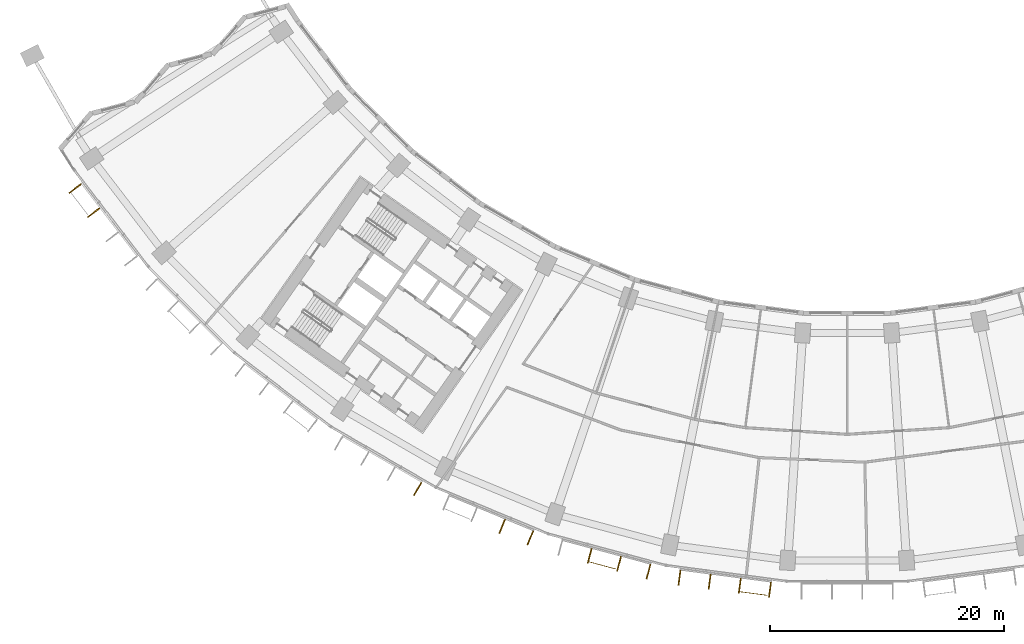
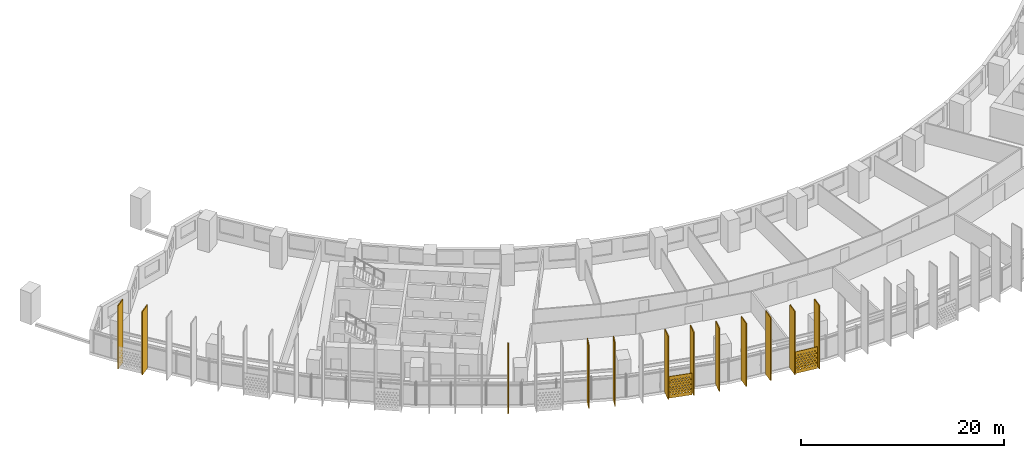
# One storey, part 26 of 31: 14 shading devices.
"""IFC4 building model written with IfcOpenShell, lengths in metres."""

from ifc_helpers import new_model, si_unit, direction, frame, origin, origin_2d, place, context, subcontext, project, spatial, polyline, rectangle, outline, extrude, material, material_profile, profile_set, type_object, element, save


model = new_model("IFC4")

# Units and contexts
model_context = context("Model", 3, precision=1e-05, world=origin(), true_north=direction((0.0, 1.0)))
body_context = subcontext(model_context, "Body", "Model", "MODEL_VIEW")
ifc_project = project(units=[si_unit("LENGTHUNIT", "METRE"), si_unit("AREAUNIT", "SQUARE_METRE"), si_unit("VOLUMEUNIT", "CUBIC_METRE"), si_unit("PLANEANGLEUNIT", "RADIAN"), si_unit("MASSUNIT", "GRAM", prefix="KILO")], contexts=[model_context])

# Site, building, storey
site_placement = place(None, origin())
site = spatial("IfcSite", under=ifc_project, at=site_placement, CompositionType="ELEMENT")
building_placement = place(site_placement, origin())
building = spatial("IfcBuilding", under=site, at=building_placement, Name="Qamariyya Broadcast Tower", CompositionType="ELEMENT")
storey_placement = place(building_placement, frame((0.0, 0.0, 55.699951171875)))
storey = spatial("IfcBuildingStorey", under=building, at=storey_placement, Name="L10", CompositionType="ELEMENT", Elevation=55.699951171875)

# Shading devices
ifc_material_1 = material(Name="Perforated glazed terracotta", Category="masonry")
ifc_material_profile_1 = material_profile(ifc_material_1, outline(polyline([(-1.199951171875, -1.300048828125), (1.199951171875, -1.300048828125), (1.199951171875, 1.300048828125), (-1.199951171875, 1.300048828125), (-1.199951171875, -1.300048828125)]), holes=[polyline([(-0.81494140625, -0.86669921875), (-0.89990234375, -0.78173828125), (-0.985107421875, -0.86669921875), (-0.89990234375, -0.95166015625), (-0.81494140625, -0.86669921875)]), polyline([(-0.514892578125, -0.86669921875), (-0.60009765625, -0.78173828125), (-0.68505859375, -0.86669921875), (-0.60009765625, -0.95166015625), (-0.514892578125, -0.86669921875)]), polyline([(-0.215087890625, -0.86669921875), (-0.300048828125, -0.78173828125), (-0.385009765625, -0.86669921875), (-0.300048828125, -0.95166015625), (-0.215087890625, -0.86669921875)]), polyline([(0.0849609375, -0.86669921875), (0.0, -0.78173828125), (-0.0849609375, -0.86669921875), (0.0, -0.95166015625), (0.0849609375, -0.86669921875)]), polyline([(0.385009765625, -0.86669921875), (0.300048828125, -0.78173828125), (0.215087890625, -0.86669921875), (0.300048828125, -0.95166015625), (0.385009765625, -0.86669921875)]), polyline([(0.68505859375, -0.86669921875), (0.60009765625, -0.78173828125), (0.514892578125, -0.86669921875), (0.60009765625, -0.95166015625), (0.68505859375, -0.86669921875)]), polyline([(0.985107421875, -0.86669921875), (0.89990234375, -0.78173828125), (0.81494140625, -0.86669921875), (0.89990234375, -0.95166015625), (0.985107421875, -0.86669921875)]), polyline([(-0.965087890625, -0.577880859375), (-1.050048828125, -0.49267578125), (-1.135009765625, -0.577880859375), (-1.050048828125, -0.662841796875), (-0.965087890625, -0.577880859375)]), polyline([(-0.6650390625, -0.577880859375), (-0.75, -0.49267578125), (-0.8349609375, -0.577880859375), (-0.75, -0.662841796875), (-0.6650390625, -0.577880859375)]), polyline([(-0.364990234375, -0.577880859375), (-0.449951171875, -0.49267578125), (-0.534912109375, -0.577880859375), (-0.449951171875, -0.662841796875), (-0.364990234375, -0.577880859375)]), polyline([(-0.06494140625, -0.577880859375), (-0.14990234375, -0.49267578125), (-0.235107421875, -0.577880859375), (-0.14990234375, -0.662841796875), (-0.06494140625, -0.577880859375)]), polyline([(0.235107421875, -0.577880859375), (0.14990234375, -0.49267578125), (0.06494140625, -0.577880859375), (0.14990234375, -0.662841796875), (0.235107421875, -0.577880859375)]), polyline([(0.534912109375, -0.577880859375), (0.449951171875, -0.49267578125), (0.364990234375, -0.577880859375), (0.449951171875, -0.662841796875), (0.534912109375, -0.577880859375)]), polyline([(0.8349609375, -0.577880859375), (0.75, -0.49267578125), (0.6650390625, -0.577880859375), (0.75, -0.662841796875), (0.8349609375, -0.577880859375)]), polyline([(1.135009765625, -0.577880859375), (1.050048828125, -0.49267578125), (0.965087890625, -0.577880859375), (1.050048828125, -0.662841796875), (1.135009765625, -0.577880859375)]), polyline([(-0.81494140625, -0.288818359375), (-0.89990234375, -0.203857421875), (-0.985107421875, -0.288818359375), (-0.89990234375, -0.373779296875), (-0.81494140625, -0.288818359375)]), polyline([(-0.514892578125, -0.288818359375), (-0.60009765625, -0.203857421875), (-0.68505859375, -0.288818359375), (-0.60009765625, -0.373779296875), (-0.514892578125, -0.288818359375)]), polyline([(-0.215087890625, -0.288818359375), (-0.300048828125, -0.203857421875), (-0.385009765625, -0.288818359375), (-0.300048828125, -0.373779296875), (-0.215087890625, -0.288818359375)]), polyline([(0.0849609375, -0.288818359375), (0.0, -0.203857421875), (-0.0849609375, -0.288818359375), (0.0, -0.373779296875), (0.0849609375, -0.288818359375)]), polyline([(0.385009765625, -0.288818359375), (0.300048828125, -0.203857421875), (0.215087890625, -0.288818359375), (0.300048828125, -0.373779296875), (0.385009765625, -0.288818359375)]), polyline([(0.68505859375, -0.288818359375), (0.60009765625, -0.203857421875), (0.514892578125, -0.288818359375), (0.60009765625, -0.373779296875), (0.68505859375, -0.288818359375)]), polyline([(0.985107421875, -0.288818359375), (0.89990234375, -0.203857421875), (0.81494140625, -0.288818359375), (0.89990234375, -0.373779296875), (0.985107421875, -0.288818359375)]), polyline([(-0.965087890625, 0.0), (-1.050048828125, 0.0849609375), (-1.135009765625, 0.0), (-1.050048828125, -0.0849609375), (-0.965087890625, 0.0)]), polyline([(-0.6650390625, 0.0), (-0.75, 0.0849609375), (-0.8349609375, 0.0), (-0.75, -0.0849609375), (-0.6650390625, 0.0)]), polyline([(-0.364990234375, 0.0), (-0.449951171875, 0.0849609375), (-0.534912109375, 0.0), (-0.449951171875, -0.0849609375), (-0.364990234375, 0.0)]), polyline([(-0.06494140625, 0.0), (-0.14990234375, 0.0849609375), (-0.235107421875, 0.0), (-0.14990234375, -0.0849609375), (-0.06494140625, 0.0)]), polyline([(0.235107421875, 0.0), (0.14990234375, 0.0849609375), (0.06494140625, 0.0), (0.14990234375, -0.0849609375), (0.235107421875, 0.0)]), polyline([(0.534912109375, 0.0), (0.449951171875, 0.0849609375), (0.364990234375, 0.0), (0.449951171875, -0.0849609375), (0.534912109375, 0.0)]), polyline([(0.8349609375, 0.0), (0.75, 0.0849609375), (0.6650390625, 0.0), (0.75, -0.0849609375), (0.8349609375, 0.0)]), polyline([(1.135009765625, 0.0), (1.050048828125, 0.0849609375), (0.965087890625, 0.0), (1.050048828125, -0.0849609375), (1.135009765625, 0.0)]), polyline([(-0.81494140625, 0.288818359375), (-0.89990234375, 0.373779296875), (-0.985107421875, 0.288818359375), (-0.89990234375, 0.203857421875), (-0.81494140625, 0.288818359375)]), polyline([(-0.514892578125, 0.288818359375), (-0.60009765625, 0.373779296875), (-0.68505859375, 0.288818359375), (-0.60009765625, 0.203857421875), (-0.514892578125, 0.288818359375)]), polyline([(-0.215087890625, 0.288818359375), (-0.300048828125, 0.373779296875), (-0.385009765625, 0.288818359375), (-0.300048828125, 0.203857421875), (-0.215087890625, 0.288818359375)]), polyline([(0.0849609375, 0.288818359375), (0.0, 0.373779296875), (-0.0849609375, 0.288818359375), (0.0, 0.203857421875), (0.0849609375, 0.288818359375)]), polyline([(0.385009765625, 0.288818359375), (0.300048828125, 0.373779296875), (0.215087890625, 0.288818359375), (0.300048828125, 0.203857421875), (0.385009765625, 0.288818359375)]), polyline([(0.68505859375, 0.288818359375), (0.60009765625, 0.373779296875), (0.514892578125, 0.288818359375), (0.60009765625, 0.203857421875), (0.68505859375, 0.288818359375)]), polyline([(0.985107421875, 0.288818359375), (0.89990234375, 0.373779296875), (0.81494140625, 0.288818359375), (0.89990234375, 0.203857421875), (0.985107421875, 0.288818359375)]), polyline([(-0.965087890625, 0.577880859375), (-1.050048828125, 0.662841796875), (-1.135009765625, 0.577880859375), (-1.050048828125, 0.49267578125), (-0.965087890625, 0.577880859375)]), polyline([(-0.6650390625, 0.577880859375), (-0.75, 0.662841796875), (-0.8349609375, 0.577880859375), (-0.75, 0.49267578125), (-0.6650390625, 0.577880859375)]), polyline([(-0.364990234375, 0.577880859375), (-0.449951171875, 0.662841796875), (-0.534912109375, 0.577880859375), (-0.449951171875, 0.49267578125), (-0.364990234375, 0.577880859375)]), polyline([(-0.06494140625, 0.577880859375), (-0.14990234375, 0.662841796875), (-0.235107421875, 0.577880859375), (-0.14990234375, 0.49267578125), (-0.06494140625, 0.577880859375)]), polyline([(0.235107421875, 0.577880859375), (0.14990234375, 0.662841796875), (0.06494140625, 0.577880859375), (0.14990234375, 0.49267578125), (0.235107421875, 0.577880859375)]), polyline([(0.534912109375, 0.577880859375), (0.449951171875, 0.662841796875), (0.364990234375, 0.577880859375), (0.449951171875, 0.49267578125), (0.534912109375, 0.577880859375)]), polyline([(0.8349609375, 0.577880859375), (0.75, 0.662841796875), (0.6650390625, 0.577880859375), (0.75, 0.49267578125), (0.8349609375, 0.577880859375)]), polyline([(1.135009765625, 0.577880859375), (1.050048828125, 0.662841796875), (0.965087890625, 0.577880859375), (1.050048828125, 0.49267578125), (1.135009765625, 0.577880859375)]), polyline([(-0.81494140625, 0.86669921875), (-0.89990234375, 0.95166015625), (-0.985107421875, 0.86669921875), (-0.89990234375, 0.78173828125), (-0.81494140625, 0.86669921875)]), polyline([(-0.514892578125, 0.86669921875), (-0.60009765625, 0.95166015625), (-0.68505859375, 0.86669921875), (-0.60009765625, 0.78173828125), (-0.514892578125, 0.86669921875)]), polyline([(-0.215087890625, 0.86669921875), (-0.300048828125, 0.95166015625), (-0.385009765625, 0.86669921875), (-0.300048828125, 0.78173828125), (-0.215087890625, 0.86669921875)]), polyline([(0.0849609375, 0.86669921875), (0.0, 0.95166015625), (-0.0849609375, 0.86669921875), (0.0, 0.78173828125), (0.0849609375, 0.86669921875)]), polyline([(0.385009765625, 0.86669921875), (0.300048828125, 0.95166015625), (0.215087890625, 0.86669921875), (0.300048828125, 0.78173828125), (0.385009765625, 0.86669921875)]), polyline([(0.68505859375, 0.86669921875), (0.60009765625, 0.95166015625), (0.514892578125, 0.86669921875), (0.60009765625, 0.78173828125), (0.68505859375, 0.86669921875)]), polyline([(0.985107421875, 0.86669921875), (0.89990234375, 0.95166015625), (0.81494140625, 0.86669921875), (0.89990234375, 0.78173828125), (0.985107421875, 0.86669921875)])]))
ifc_profile_set_1 = profile_set([ifc_material_profile_1], Name="Perforated glazed terracotta")
shading_device_type_1 = type_object("IfcShadingDeviceType", Name="Perforated terracotta screen 2400 x 2600", PredefinedType="USERDEFINED", material=ifc_profile_set_1)
shading_device_1_placement = place(storey_placement, frame((-20.949951171875, -77.984375, 1.35009765625), z_axis=(-0.259682438219, -0.965694067125, 0.0), x_axis=(0.965694067125, -0.259682438219, 0.0)))
element("IfcShadingDevice", 1, at=shading_device_1_placement, inside=storey, type_object=shading_device_type_1, Name="e-scr-L10-06-1", ObjectType="SCREEN", PredefinedType="USERDEFINED", context=body_context, shape_type="SweptSolid", body=[
    extrude(outline(polyline([(-1.199951171875, -1.300048828125), (1.199951171875, -1.300048828125), (1.199951171875, 1.300048828125), (-1.199951171875, 1.300048828125), (-1.199951171875, -1.300048828125)]), holes=[polyline([(-0.81494140625, -0.86669921875), (-0.89990234375, -0.78173828125), (-0.985107421875, -0.86669921875), (-0.89990234375, -0.95166015625), (-0.81494140625, -0.86669921875)]), polyline([(-0.514892578125, -0.86669921875), (-0.60009765625, -0.78173828125), (-0.68505859375, -0.86669921875), (-0.60009765625, -0.95166015625), (-0.514892578125, -0.86669921875)]), polyline([(-0.215087890625, -0.86669921875), (-0.300048828125, -0.78173828125), (-0.385009765625, -0.86669921875), (-0.300048828125, -0.95166015625), (-0.215087890625, -0.86669921875)]), polyline([(0.0849609375, -0.86669921875), (0.0, -0.78173828125), (-0.0849609375, -0.86669921875), (0.0, -0.95166015625), (0.0849609375, -0.86669921875)]), polyline([(0.385009765625, -0.86669921875), (0.300048828125, -0.78173828125), (0.215087890625, -0.86669921875), (0.300048828125, -0.95166015625), (0.385009765625, -0.86669921875)]), polyline([(0.68505859375, -0.86669921875), (0.60009765625, -0.78173828125), (0.514892578125, -0.86669921875), (0.60009765625, -0.95166015625), (0.68505859375, -0.86669921875)]), polyline([(0.985107421875, -0.86669921875), (0.89990234375, -0.78173828125), (0.81494140625, -0.86669921875), (0.89990234375, -0.95166015625), (0.985107421875, -0.86669921875)]), polyline([(-0.965087890625, -0.577880859375), (-1.050048828125, -0.49267578125), (-1.135009765625, -0.577880859375), (-1.050048828125, -0.662841796875), (-0.965087890625, -0.577880859375)]), polyline([(-0.6650390625, -0.577880859375), (-0.75, -0.49267578125), (-0.8349609375, -0.577880859375), (-0.75, -0.662841796875), (-0.6650390625, -0.577880859375)]), polyline([(-0.364990234375, -0.577880859375), (-0.449951171875, -0.49267578125), (-0.534912109375, -0.577880859375), (-0.449951171875, -0.662841796875), (-0.364990234375, -0.577880859375)]), polyline([(-0.06494140625, -0.577880859375), (-0.14990234375, -0.49267578125), (-0.235107421875, -0.577880859375), (-0.14990234375, -0.662841796875), (-0.06494140625, -0.577880859375)]), polyline([(0.235107421875, -0.577880859375), (0.14990234375, -0.49267578125), (0.06494140625, -0.577880859375), (0.14990234375, -0.662841796875), (0.235107421875, -0.577880859375)]), polyline([(0.534912109375, -0.577880859375), (0.449951171875, -0.49267578125), (0.364990234375, -0.577880859375), (0.449951171875, -0.662841796875), (0.534912109375, -0.577880859375)]), polyline([(0.8349609375, -0.577880859375), (0.75, -0.49267578125), (0.6650390625, -0.577880859375), (0.75, -0.662841796875), (0.8349609375, -0.577880859375)]), polyline([(1.135009765625, -0.577880859375), (1.050048828125, -0.49267578125), (0.965087890625, -0.577880859375), (1.050048828125, -0.662841796875), (1.135009765625, -0.577880859375)]), polyline([(-0.81494140625, -0.288818359375), (-0.89990234375, -0.203857421875), (-0.985107421875, -0.288818359375), (-0.89990234375, -0.373779296875), (-0.81494140625, -0.288818359375)]), polyline([(-0.514892578125, -0.288818359375), (-0.60009765625, -0.203857421875), (-0.68505859375, -0.288818359375), (-0.60009765625, -0.373779296875), (-0.514892578125, -0.288818359375)]), polyline([(-0.215087890625, -0.288818359375), (-0.300048828125, -0.203857421875), (-0.385009765625, -0.288818359375), (-0.300048828125, -0.373779296875), (-0.215087890625, -0.288818359375)]), polyline([(0.0849609375, -0.288818359375), (0.0, -0.203857421875), (-0.0849609375, -0.288818359375), (0.0, -0.373779296875), (0.0849609375, -0.288818359375)]), polyline([(0.385009765625, -0.288818359375), (0.300048828125, -0.203857421875), (0.215087890625, -0.288818359375), (0.300048828125, -0.373779296875), (0.385009765625, -0.288818359375)]), polyline([(0.68505859375, -0.288818359375), (0.60009765625, -0.203857421875), (0.514892578125, -0.288818359375), (0.60009765625, -0.373779296875), (0.68505859375, -0.288818359375)]), polyline([(0.985107421875, -0.288818359375), (0.89990234375, -0.203857421875), (0.81494140625, -0.288818359375), (0.89990234375, -0.373779296875), (0.985107421875, -0.288818359375)]), polyline([(-0.965087890625, 0.0), (-1.050048828125, 0.0849609375), (-1.135009765625, 0.0), (-1.050048828125, -0.0849609375), (-0.965087890625, 0.0)]), polyline([(-0.6650390625, 0.0), (-0.75, 0.0849609375), (-0.8349609375, 0.0), (-0.75, -0.0849609375), (-0.6650390625, 0.0)]), polyline([(-0.364990234375, 0.0), (-0.449951171875, 0.0849609375), (-0.534912109375, 0.0), (-0.449951171875, -0.0849609375), (-0.364990234375, 0.0)]), polyline([(-0.06494140625, 0.0), (-0.14990234375, 0.0849609375), (-0.235107421875, 0.0), (-0.14990234375, -0.0849609375), (-0.06494140625, 0.0)]), polyline([(0.235107421875, 0.0), (0.14990234375, 0.0849609375), (0.06494140625, 0.0), (0.14990234375, -0.0849609375), (0.235107421875, 0.0)]), polyline([(0.534912109375, 0.0), (0.449951171875, 0.0849609375), (0.364990234375, 0.0), (0.449951171875, -0.0849609375), (0.534912109375, 0.0)]), polyline([(0.8349609375, 0.0), (0.75, 0.0849609375), (0.6650390625, 0.0), (0.75, -0.0849609375), (0.8349609375, 0.0)]), polyline([(1.135009765625, 0.0), (1.050048828125, 0.0849609375), (0.965087890625, 0.0), (1.050048828125, -0.0849609375), (1.135009765625, 0.0)]), polyline([(-0.81494140625, 0.288818359375), (-0.89990234375, 0.373779296875), (-0.985107421875, 0.288818359375), (-0.89990234375, 0.203857421875), (-0.81494140625, 0.288818359375)]), polyline([(-0.514892578125, 0.288818359375), (-0.60009765625, 0.373779296875), (-0.68505859375, 0.288818359375), (-0.60009765625, 0.203857421875), (-0.514892578125, 0.288818359375)]), polyline([(-0.215087890625, 0.288818359375), (-0.300048828125, 0.373779296875), (-0.385009765625, 0.288818359375), (-0.300048828125, 0.203857421875), (-0.215087890625, 0.288818359375)]), polyline([(0.0849609375, 0.288818359375), (0.0, 0.373779296875), (-0.0849609375, 0.288818359375), (0.0, 0.203857421875), (0.0849609375, 0.288818359375)]), polyline([(0.385009765625, 0.288818359375), (0.300048828125, 0.373779296875), (0.215087890625, 0.288818359375), (0.300048828125, 0.203857421875), (0.385009765625, 0.288818359375)]), polyline([(0.68505859375, 0.288818359375), (0.60009765625, 0.373779296875), (0.514892578125, 0.288818359375), (0.60009765625, 0.203857421875), (0.68505859375, 0.288818359375)]), polyline([(0.985107421875, 0.288818359375), (0.89990234375, 0.373779296875), (0.81494140625, 0.288818359375), (0.89990234375, 0.203857421875), (0.985107421875, 0.288818359375)]), polyline([(-0.965087890625, 0.577880859375), (-1.050048828125, 0.662841796875), (-1.135009765625, 0.577880859375), (-1.050048828125, 0.49267578125), (-0.965087890625, 0.577880859375)]), polyline([(-0.6650390625, 0.577880859375), (-0.75, 0.662841796875), (-0.8349609375, 0.577880859375), (-0.75, 0.49267578125), (-0.6650390625, 0.577880859375)]), polyline([(-0.364990234375, 0.577880859375), (-0.449951171875, 0.662841796875), (-0.534912109375, 0.577880859375), (-0.449951171875, 0.49267578125), (-0.364990234375, 0.577880859375)]), polyline([(-0.06494140625, 0.577880859375), (-0.14990234375, 0.662841796875), (-0.235107421875, 0.577880859375), (-0.14990234375, 0.49267578125), (-0.06494140625, 0.577880859375)]), polyline([(0.235107421875, 0.577880859375), (0.14990234375, 0.662841796875), (0.06494140625, 0.577880859375), (0.14990234375, 0.49267578125), (0.235107421875, 0.577880859375)]), polyline([(0.534912109375, 0.577880859375), (0.449951171875, 0.662841796875), (0.364990234375, 0.577880859375), (0.449951171875, 0.49267578125), (0.534912109375, 0.577880859375)]), polyline([(0.8349609375, 0.577880859375), (0.75, 0.662841796875), (0.6650390625, 0.577880859375), (0.75, 0.49267578125), (0.8349609375, 0.577880859375)]), polyline([(1.135009765625, 0.577880859375), (1.050048828125, 0.662841796875), (0.965087890625, 0.577880859375), (1.050048828125, 0.49267578125), (1.135009765625, 0.577880859375)]), polyline([(-0.81494140625, 0.86669921875), (-0.89990234375, 0.95166015625), (-0.985107421875, 0.86669921875), (-0.89990234375, 0.78173828125), (-0.81494140625, 0.86669921875)]), polyline([(-0.514892578125, 0.86669921875), (-0.60009765625, 0.95166015625), (-0.68505859375, 0.86669921875), (-0.60009765625, 0.78173828125), (-0.514892578125, 0.86669921875)]), polyline([(-0.215087890625, 0.86669921875), (-0.300048828125, 0.95166015625), (-0.385009765625, 0.86669921875), (-0.300048828125, 0.78173828125), (-0.215087890625, 0.86669921875)]), polyline([(0.0849609375, 0.86669921875), (0.0, 0.95166015625), (-0.0849609375, 0.86669921875), (0.0, 0.78173828125), (0.0849609375, 0.86669921875)]), polyline([(0.385009765625, 0.86669921875), (0.300048828125, 0.95166015625), (0.215087890625, 0.86669921875), (0.300048828125, 0.78173828125), (0.385009765625, 0.86669921875)]), polyline([(0.68505859375, 0.86669921875), (0.60009765625, 0.95166015625), (0.514892578125, 0.86669921875), (0.60009765625, 0.78173828125), (0.68505859375, 0.86669921875)]), polyline([(0.985107421875, 0.86669921875), (0.89990234375, 0.95166015625), (0.81494140625, 0.86669921875), (0.89990234375, 0.78173828125), (0.985107421875, 0.86669921875)])]), origin(), (0.0, 0.0, 1.0), 0.06005859375),
])
shading_device_2_placement = place(storey_placement, frame((-8.009521484375, -80.391845703125, 1.35009765625), z_axis=(-0.13056005306, -0.991440402921, 0.0), x_axis=(0.991440402921, -0.13056005306, 0.0)))
element("IfcShadingDevice", 2, at=shading_device_2_placement, inside=storey, type_object=shading_device_type_1, Name="e-scr-L10-07-2", ObjectType="SCREEN", PredefinedType="USERDEFINED", context=body_context, shape_type="SweptSolid", body=[
    extrude(outline(polyline([(-1.199951171875, -1.300048828125), (1.199951171875, -1.300048828125), (1.199951171875, 1.300048828125), (-1.199951171875, 1.300048828125), (-1.199951171875, -1.300048828125)]), holes=[polyline([(-0.81494140625, -0.86669921875), (-0.89990234375, -0.78173828125), (-0.985107421875, -0.86669921875), (-0.89990234375, -0.95166015625), (-0.81494140625, -0.86669921875)]), polyline([(-0.514892578125, -0.86669921875), (-0.60009765625, -0.78173828125), (-0.68505859375, -0.86669921875), (-0.60009765625, -0.95166015625), (-0.514892578125, -0.86669921875)]), polyline([(-0.215087890625, -0.86669921875), (-0.300048828125, -0.78173828125), (-0.385009765625, -0.86669921875), (-0.300048828125, -0.95166015625), (-0.215087890625, -0.86669921875)]), polyline([(0.0849609375, -0.86669921875), (0.0, -0.78173828125), (-0.0849609375, -0.86669921875), (0.0, -0.95166015625), (0.0849609375, -0.86669921875)]), polyline([(0.385009765625, -0.86669921875), (0.300048828125, -0.78173828125), (0.215087890625, -0.86669921875), (0.300048828125, -0.95166015625), (0.385009765625, -0.86669921875)]), polyline([(0.68505859375, -0.86669921875), (0.60009765625, -0.78173828125), (0.514892578125, -0.86669921875), (0.60009765625, -0.95166015625), (0.68505859375, -0.86669921875)]), polyline([(0.985107421875, -0.86669921875), (0.89990234375, -0.78173828125), (0.81494140625, -0.86669921875), (0.89990234375, -0.95166015625), (0.985107421875, -0.86669921875)]), polyline([(-0.965087890625, -0.577880859375), (-1.050048828125, -0.49267578125), (-1.135009765625, -0.577880859375), (-1.050048828125, -0.662841796875), (-0.965087890625, -0.577880859375)]), polyline([(-0.6650390625, -0.577880859375), (-0.75, -0.49267578125), (-0.8349609375, -0.577880859375), (-0.75, -0.662841796875), (-0.6650390625, -0.577880859375)]), polyline([(-0.364990234375, -0.577880859375), (-0.449951171875, -0.49267578125), (-0.534912109375, -0.577880859375), (-0.449951171875, -0.662841796875), (-0.364990234375, -0.577880859375)]), polyline([(-0.06494140625, -0.577880859375), (-0.14990234375, -0.49267578125), (-0.235107421875, -0.577880859375), (-0.14990234375, -0.662841796875), (-0.06494140625, -0.577880859375)]), polyline([(0.235107421875, -0.577880859375), (0.14990234375, -0.49267578125), (0.06494140625, -0.577880859375), (0.14990234375, -0.662841796875), (0.235107421875, -0.577880859375)]), polyline([(0.534912109375, -0.577880859375), (0.449951171875, -0.49267578125), (0.364990234375, -0.577880859375), (0.449951171875, -0.662841796875), (0.534912109375, -0.577880859375)]), polyline([(0.8349609375, -0.577880859375), (0.75, -0.49267578125), (0.6650390625, -0.577880859375), (0.75, -0.662841796875), (0.8349609375, -0.577880859375)]), polyline([(1.135009765625, -0.577880859375), (1.050048828125, -0.49267578125), (0.965087890625, -0.577880859375), (1.050048828125, -0.662841796875), (1.135009765625, -0.577880859375)]), polyline([(-0.81494140625, -0.288818359375), (-0.89990234375, -0.203857421875), (-0.985107421875, -0.288818359375), (-0.89990234375, -0.373779296875), (-0.81494140625, -0.288818359375)]), polyline([(-0.514892578125, -0.288818359375), (-0.60009765625, -0.203857421875), (-0.68505859375, -0.288818359375), (-0.60009765625, -0.373779296875), (-0.514892578125, -0.288818359375)]), polyline([(-0.215087890625, -0.288818359375), (-0.300048828125, -0.203857421875), (-0.385009765625, -0.288818359375), (-0.300048828125, -0.373779296875), (-0.215087890625, -0.288818359375)]), polyline([(0.0849609375, -0.288818359375), (0.0, -0.203857421875), (-0.0849609375, -0.288818359375), (0.0, -0.373779296875), (0.0849609375, -0.288818359375)]), polyline([(0.385009765625, -0.288818359375), (0.300048828125, -0.203857421875), (0.215087890625, -0.288818359375), (0.300048828125, -0.373779296875), (0.385009765625, -0.288818359375)]), polyline([(0.68505859375, -0.288818359375), (0.60009765625, -0.203857421875), (0.514892578125, -0.288818359375), (0.60009765625, -0.373779296875), (0.68505859375, -0.288818359375)]), polyline([(0.985107421875, -0.288818359375), (0.89990234375, -0.203857421875), (0.81494140625, -0.288818359375), (0.89990234375, -0.373779296875), (0.985107421875, -0.288818359375)]), polyline([(-0.965087890625, 0.0), (-1.050048828125, 0.0849609375), (-1.135009765625, 0.0), (-1.050048828125, -0.0849609375), (-0.965087890625, 0.0)]), polyline([(-0.6650390625, 0.0), (-0.75, 0.0849609375), (-0.8349609375, 0.0), (-0.75, -0.0849609375), (-0.6650390625, 0.0)]), polyline([(-0.364990234375, 0.0), (-0.449951171875, 0.0849609375), (-0.534912109375, 0.0), (-0.449951171875, -0.0849609375), (-0.364990234375, 0.0)]), polyline([(-0.06494140625, 0.0), (-0.14990234375, 0.0849609375), (-0.235107421875, 0.0), (-0.14990234375, -0.0849609375), (-0.06494140625, 0.0)]), polyline([(0.235107421875, 0.0), (0.14990234375, 0.0849609375), (0.06494140625, 0.0), (0.14990234375, -0.0849609375), (0.235107421875, 0.0)]), polyline([(0.534912109375, 0.0), (0.449951171875, 0.0849609375), (0.364990234375, 0.0), (0.449951171875, -0.0849609375), (0.534912109375, 0.0)]), polyline([(0.8349609375, 0.0), (0.75, 0.0849609375), (0.6650390625, 0.0), (0.75, -0.0849609375), (0.8349609375, 0.0)]), polyline([(1.135009765625, 0.0), (1.050048828125, 0.0849609375), (0.965087890625, 0.0), (1.050048828125, -0.0849609375), (1.135009765625, 0.0)]), polyline([(-0.81494140625, 0.288818359375), (-0.89990234375, 0.373779296875), (-0.985107421875, 0.288818359375), (-0.89990234375, 0.203857421875), (-0.81494140625, 0.288818359375)]), polyline([(-0.514892578125, 0.288818359375), (-0.60009765625, 0.373779296875), (-0.68505859375, 0.288818359375), (-0.60009765625, 0.203857421875), (-0.514892578125, 0.288818359375)]), polyline([(-0.215087890625, 0.288818359375), (-0.300048828125, 0.373779296875), (-0.385009765625, 0.288818359375), (-0.300048828125, 0.203857421875), (-0.215087890625, 0.288818359375)]), polyline([(0.0849609375, 0.288818359375), (0.0, 0.373779296875), (-0.0849609375, 0.288818359375), (0.0, 0.203857421875), (0.0849609375, 0.288818359375)]), polyline([(0.385009765625, 0.288818359375), (0.300048828125, 0.373779296875), (0.215087890625, 0.288818359375), (0.300048828125, 0.203857421875), (0.385009765625, 0.288818359375)]), polyline([(0.68505859375, 0.288818359375), (0.60009765625, 0.373779296875), (0.514892578125, 0.288818359375), (0.60009765625, 0.203857421875), (0.68505859375, 0.288818359375)]), polyline([(0.985107421875, 0.288818359375), (0.89990234375, 0.373779296875), (0.81494140625, 0.288818359375), (0.89990234375, 0.203857421875), (0.985107421875, 0.288818359375)]), polyline([(-0.965087890625, 0.577880859375), (-1.050048828125, 0.662841796875), (-1.135009765625, 0.577880859375), (-1.050048828125, 0.49267578125), (-0.965087890625, 0.577880859375)]), polyline([(-0.6650390625, 0.577880859375), (-0.75, 0.662841796875), (-0.8349609375, 0.577880859375), (-0.75, 0.49267578125), (-0.6650390625, 0.577880859375)]), polyline([(-0.364990234375, 0.577880859375), (-0.449951171875, 0.662841796875), (-0.534912109375, 0.577880859375), (-0.449951171875, 0.49267578125), (-0.364990234375, 0.577880859375)]), polyline([(-0.06494140625, 0.577880859375), (-0.14990234375, 0.662841796875), (-0.235107421875, 0.577880859375), (-0.14990234375, 0.49267578125), (-0.06494140625, 0.577880859375)]), polyline([(0.235107421875, 0.577880859375), (0.14990234375, 0.662841796875), (0.06494140625, 0.577880859375), (0.14990234375, 0.49267578125), (0.235107421875, 0.577880859375)]), polyline([(0.534912109375, 0.577880859375), (0.449951171875, 0.662841796875), (0.364990234375, 0.577880859375), (0.449951171875, 0.49267578125), (0.534912109375, 0.577880859375)]), polyline([(0.8349609375, 0.577880859375), (0.75, 0.662841796875), (0.6650390625, 0.577880859375), (0.75, 0.49267578125), (0.8349609375, 0.577880859375)]), polyline([(1.135009765625, 0.577880859375), (1.050048828125, 0.662841796875), (0.965087890625, 0.577880859375), (1.050048828125, 0.49267578125), (1.135009765625, 0.577880859375)]), polyline([(-0.81494140625, 0.86669921875), (-0.89990234375, 0.95166015625), (-0.985107421875, 0.86669921875), (-0.89990234375, 0.78173828125), (-0.81494140625, 0.86669921875)]), polyline([(-0.514892578125, 0.86669921875), (-0.60009765625, 0.95166015625), (-0.68505859375, 0.86669921875), (-0.60009765625, 0.78173828125), (-0.514892578125, 0.86669921875)]), polyline([(-0.215087890625, 0.86669921875), (-0.300048828125, 0.95166015625), (-0.385009765625, 0.86669921875), (-0.300048828125, 0.78173828125), (-0.215087890625, 0.86669921875)]), polyline([(0.0849609375, 0.86669921875), (0.0, 0.95166015625), (-0.0849609375, 0.86669921875), (0.0, 0.78173828125), (0.0849609375, 0.86669921875)]), polyline([(0.385009765625, 0.86669921875), (0.300048828125, 0.95166015625), (0.215087890625, 0.86669921875), (0.300048828125, 0.78173828125), (0.385009765625, 0.86669921875)]), polyline([(0.68505859375, 0.86669921875), (0.60009765625, 0.95166015625), (0.514892578125, 0.86669921875), (0.60009765625, 0.78173828125), (0.68505859375, 0.86669921875)]), polyline([(0.985107421875, 0.86669921875), (0.89990234375, 0.95166015625), (0.81494140625, 0.86669921875), (0.89990234375, 0.78173828125), (0.985107421875, 0.86669921875)])]), origin(), (0.0, 0.0, 1.0), 0.059814453125),
])
ifc_material_2 = material(Name="Glazed terracotta", Category="masonry")
ifc_material_profile_2 = material_profile(ifc_material_2, rectangle(XDim=1.300048828125, YDim=0.10009765625, at=origin_2d()))
ifc_profile_set_2 = profile_set([ifc_material_profile_2], Name="Glazed terracotta")
shading_device_type_2 = type_object("IfcShadingDeviceType", Name="Terracotta fin 100 x 1300", PredefinedType="USERDEFINED", material=ifc_profile_set_2)
for number, where, z_axis, x_axis, name in (
    (3, (-66.068359375, -45.771484375, 0.0), (0.0, 0.0, 1.0), (-0.793353340291, -0.608761429009, 0.0), "e-fin-L10-01-0"),
    (4, (-64.48291015625, -47.837890625, 0.0), (0.0, 0.0, 1.0), (-0.793353340291, -0.608761429009, 0.0), "e-fin-L10-01-1"),
    (5, (-36.756103515625, -71.4775390625, 0.0), (0.0, 0.0, 1.0), (-0.5, -0.866025403784, 0.0), "e-fin-L10-04-3"),
    (6, (-29.518310546875, -74.6669921875, 0.0), (0.0, 0.0, 1.0), (-0.382683432365, -0.923879532511, 0.0), "e-fin-L10-05-2"),
    (7, (-27.112060546875, -75.663818359375, 0.0), (0.0, 0.0, 1.0), (-0.382683432365, -0.923879532511, 0.0), "e-fin-L10-05-3"),
    (8, (-22.035888671875, -77.20703125, 0.0), (0.0, 0.0, 1.0), (-0.258819045103, -0.965925826289, 0.0), "e-fin-L10-06-1"),
    (9, (-19.519775390625, -77.881103515625, 0.0), (0.0, 0.0, 1.0), (-0.258819045103, -0.965925826289, 0.0), "e-fin-L10-06-2"),
    (10, (-17.00390625, -78.55517578125, 0.0), (0.0, 0.0, 1.0), (-0.258819045103, -0.965925826289, 0.0), "e-fin-L10-06-3"),
    (11, (-14.35205078125, -79.082763671875, 0.0), (0.0, 0.0, 1.0), (-0.13052619222, -0.991444861374, 0.0), "e-fin-L10-07-0"),
    (12, (-11.769775390625, -79.422607421875, 0.0), (0.0, 0.0, 1.0), (-0.13052619222, -0.991444861374, 0.0), "e-fin-L10-07-1"),
    (13, (-9.187255859375, -79.7626953125, 0.0), (0.0, 0.0, 1.0), (-0.13052619222, -0.991444861374, 0.0), "e-fin-L10-07-2"),
    (14, (-6.60498046875, -80.1025390625, 0.0), (0.0, 0.0, 1.0), (-0.13052619222, -0.991444861374, 0.0), "e-fin-L10-07-3"),
):
    element("IfcShadingDevice", number, at=place(storey_placement, frame(where, z_axis=z_axis, x_axis=x_axis)), inside=storey, type_object=shading_device_type_2, Name=name, ObjectType="FIN", PredefinedType="USERDEFINED", context=body_context, shape_type="SweptSolid", body=[
        extrude(rectangle(XDim=1.300048828125, YDim=0.10009765625, at=origin_2d()), origin(), (0.0, 0.0, 1.0), 7.60009765625),
    ])

save(model, "model.ifc")
